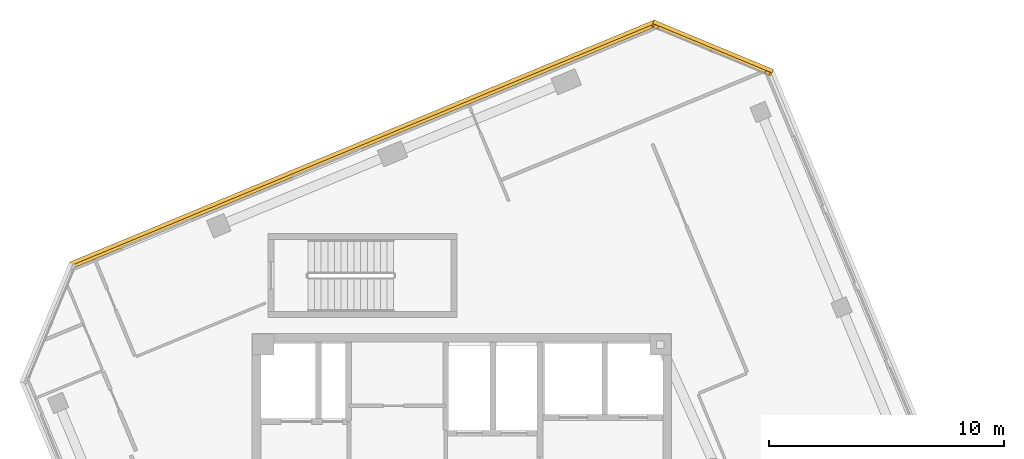
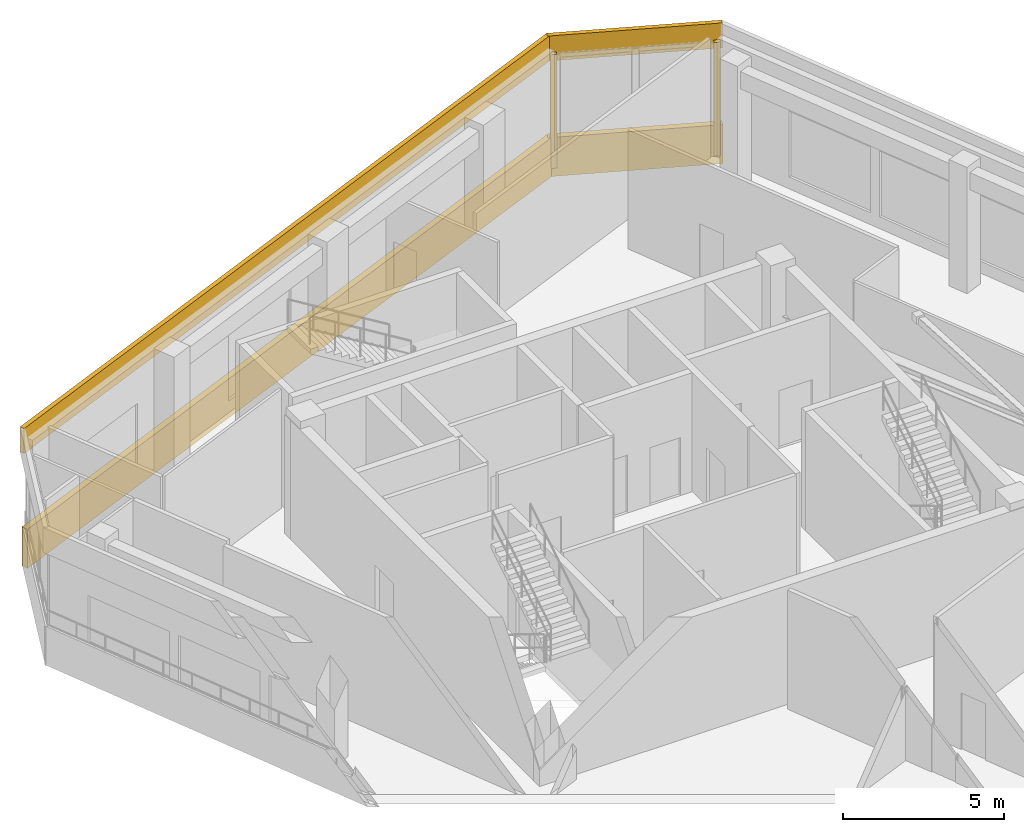
# One storey, part 17 of 17: 6 coverings.
"""IFC4 building model written with IfcOpenShell, lengths in metres."""

import ifcopenshell
import ifcopenshell.guid

model = None  # the IFC model being written
_history = None  # IfcOwnerHistory: only IFC2X3 demands one
_inside = {}  # id of a spatial element -> (the spatial element, [elements in it])
_under = {}  # id of a project, library or spatial element -> (it, [spatial elements below it])
_declared = {}  # id of a project -> (the project, [libraries it declares])
_typed = {}  # id of a type object -> (the type object, [elements of that type])
_made_of = {}  # id of a material, layer set ... -> (it, [elements and type objects made of it])


def new_model(schema):
    """Start an empty IFC model of exactly this schema.

    Asked for "IFC4X3", IfcOpenShell would pick the latest addendum, in which some entities
    have other attributes; the version numbers below select the first issue.
    IFC2X3 requires an IfcOwnerHistory on every rooted entity: one is made here for all.
    """
    global model, _history
    if schema == "IFC4X3":
        model = ifcopenshell.file(schema_version=(4, 3, 0, 0))
    else:
        model = ifcopenshell.file(schema=schema)
    _inside.clear()
    _under.clear()
    _declared.clear()
    _typed.clear()
    _made_of.clear()
    _history = None
    if model.schema == "IFC2X3":
        org = make("IfcOrganization", Name="unknown")
        user = make(
            "IfcPersonAndOrganization",
            ThePerson=make("IfcPerson", FamilyName="unknown"),
            TheOrganization=org,
        )
        app = make(
            "IfcApplication",
            ApplicationDeveloper=org,
            Version="unknown",
            ApplicationFullName="unknown",
            ApplicationIdentifier="unknown",
        )
        _history = make(
            "IfcOwnerHistory",
            OwningUser=user,
            OwningApplication=app,
            ChangeAction="ADDED",
            CreationDate=0,
        )
    return model


def make(cls, **values):
    """One entity of the class cls with the attributes given. An attribute that is None is left unset."""
    return model.create_entity(
        cls, **{name: value for name, value in values.items() if value is not None}
    )


def rooted(cls, **values):
    """An entity with a GlobalId (a new one), such as an element, a storey or a relation."""
    return make(cls, GlobalId=ifcopenshell.guid.new(), OwnerHistory=_history, **values)


def si_unit(unit_type, name, prefix=None):
    """IfcSIUnit, for example si_unit("LENGTHUNIT", "METRE", prefix="MILLI")."""
    return make("IfcSIUnit", UnitType=unit_type, Prefix=prefix, Name=name)


def assignment(units):
    """IfcUnitAssignment: the units of a project."""
    return None if units is None else make("IfcUnitAssignment", Units=units)


def point(xyz):
    """IfcCartesianPoint."""
    return None if xyz is None else make("IfcCartesianPoint", Coordinates=xyz)


def direction(xyz):
    """IfcDirection."""
    return None if xyz is None else make("IfcDirection", DirectionRatios=xyz)


def frame(location, z_axis=None, x_axis=None):
    """IfcAxis2Placement3D, a coordinate frame: its origin and axes. An axis left out is left unset."""
    return make(
        "IfcAxis2Placement3D",
        Location=point(location),
        Axis=direction(z_axis),
        RefDirection=direction(x_axis),
    )


def frame_2d(location, x_axis=None):
    """IfcAxis2Placement2D, a coordinate frame in the plane: its origin and x axis."""
    return make(
        "IfcAxis2Placement2D", Location=point(location), RefDirection=direction(x_axis)
    )


def origin():
    """The frame at (0, 0, 0) with its axes left unset."""
    return frame((0.0, 0.0, 0.0))


def origin_2d():
    """The frame at (0, 0) in the plane with its x axis left unset."""
    return frame_2d((0.0, 0.0))


def place(relative_to, where):
    """IfcLocalPlacement: puts the frame where relative to a parent placement (None: the world)."""
    return make(
        "IfcLocalPlacement", PlacementRelTo=relative_to, RelativePlacement=where
    )


def context(
    kind, dimensions, precision=None, world=None, true_north=None, identifier=None
):
    """IfcGeometricRepresentationContext, for example the 3D "Model" context."""
    return make(
        "IfcGeometricRepresentationContext",
        ContextIdentifier=identifier,
        ContextType=kind,
        CoordinateSpaceDimension=dimensions,
        Precision=precision,
        WorldCoordinateSystem=world,
        TrueNorth=true_north,
    )


def subcontext(parent, identifier, kind, view, scale=None):
    """IfcGeometricRepresentationSubContext, for example "Body" below "Model"."""
    return make(
        "IfcGeometricRepresentationSubContext",
        ContextIdentifier=identifier,
        ContextType=kind,
        ParentContext=parent,
        TargetScale=scale,
        TargetView=view,
    )


def project(units=None, contexts=None):
    """IfcProject with its units and contexts."""
    return rooted(
        "IfcProject",
        Name="project",
        RepresentationContexts=contexts,
        UnitsInContext=assignment(units),
    )


def spatial(cls, under=None, at=None, **own):
    """A site, building, storey or space (cls), placed at a placement, below another one or the project."""
    s = rooted(cls, ObjectPlacement=at, **own)
    if under is not None:
        _under.setdefault(under.id(), (under, []))[1].append(s)
    return s


def profile(cls, at=None, kind="AREA", **sizes):
    """A parametric profile (cls). Its sizes go by their IFC names, for example OverallWidth=200.0."""
    return make(cls, ProfileType=kind, Position=at, **sizes)


def rectangle(**sizes):
    """IfcRectangleProfileDef."""
    return profile("IfcRectangleProfileDef", **sizes)


def extrude(swept, where, along, depth):
    """IfcExtrudedAreaSolid: the profile swept, set in the frame where, extruded along a direction by depth."""
    return make(
        "IfcExtrudedAreaSolid",
        SweptArea=swept,
        Position=where,
        ExtrudedDirection=direction(along),
        Depth=depth,
    )


def shape(context_of_items, identifier, shape_type, items):
    """IfcShapeRepresentation: the items that make up one representation, for example the "Body"."""
    return make(
        "IfcShapeRepresentation",
        ContextOfItems=context_of_items,
        RepresentationIdentifier=identifier,
        RepresentationType=shape_type,
        Items=items,
    )


def source(mapping_origin, context_of_items, identifier, shape_type, items):
    """IfcRepresentationMap: a shape defined once, which mapped items show again and again."""
    return make(
        "IfcRepresentationMap",
        MappingOrigin=mapping_origin,
        MappedRepresentation=shape(context_of_items, identifier, shape_type, items),
    )


def transform(
    local_origin,
    x_axis=None,
    y_axis=None,
    z_axis=None,
    scale=None,
    scale2=None,
    scale3=None,
    uniform=True,
):
    """IfcCartesianTransformationOperator3D, or its non-uniform kind. x_axis, y_axis, z_axis: its Axis1, 2, 3."""
    if uniform:
        return make(
            "IfcCartesianTransformationOperator3D",
            Axis1=direction(x_axis),
            Axis2=direction(y_axis),
            LocalOrigin=point(local_origin),
            Scale=scale,
            Axis3=direction(z_axis),
        )
    return make(
        "IfcCartesianTransformationOperator3DnonUniform",
        Axis1=direction(x_axis),
        Axis2=direction(y_axis),
        LocalOrigin=point(local_origin),
        Scale=scale,
        Axis3=direction(z_axis),
        Scale2=scale2,
        Scale3=scale3,
    )


def mapped(mapping_source, mapping_target):
    """IfcMappedItem: shows the shape of a source again, moved by a transform."""
    return make(
        "IfcMappedItem", MappingSource=mapping_source, MappingTarget=mapping_target
    )


def material(Name=None, Category=None):
    """IfcMaterial."""
    return make("IfcMaterial", Name=Name, Category=Category)


def layer(
    of_material, thickness, ventilated=None, Name=None, Category=None, Priority=None
):
    """IfcMaterialLayer: one layer of a wall or slab, of a material (None: an air gap)."""
    return make(
        "IfcMaterialLayer",
        Material=of_material,
        LayerThickness=thickness,
        IsVentilated=ventilated,
        Name=Name,
        Category=Category,
        Priority=Priority,
    )


def layer_set(layers, Name=None):
    """IfcMaterialLayerSet."""
    return make("IfcMaterialLayerSet", MaterialLayers=layers, LayerSetName=Name)


def made_of(thing, what):
    """Note that an element or type object is made of a material, layer set ...; save() writes the relation."""
    if what is not None:
        _made_of.setdefault(what.id(), (what, []))[1].append(thing)
    return thing


def type_object(cls, material=None, **own):
    """A type object (cls), such as IfcWallType, which elements share."""
    return made_of(rooted(cls, **own), material)


def element(
    cls,
    number,
    at=None,
    inside=None,
    cuts=None,
    type_object=None,
    material=None,
    context=None,
    identifier="Body",
    shape_type=None,
    held_by="IfcProductDefinitionShape",
    body=None,
    shapes=None,
    **own,
):
    """One element of the class cls, such as IfcWall. Its Tag is "e" and its number.

    at: its placement. inside: the storey or other place that contains it. cuts: it is an
    opening in that element (IfcRelVoidsElement). A single representation is given by context,
    identifier, shape_type and body (its items); several are given by shapes. held_by: the class
    of the entity that holds the representations. save() writes the other relations.
    """
    e = rooted(cls, Tag="e%d" % number, ObjectPlacement=at, **own)
    if body is not None:
        shapes = [shape(context, identifier, shape_type, body)]
    if shapes is not None:
        e.Representation = make(held_by, Representations=shapes)
    if inside is not None:
        _inside.setdefault(inside.id(), (inside, []))[1].append(e)
    if cuts is not None:
        rooted(
            "IfcRelVoidsElement", RelatingBuildingElement=cuts, RelatedOpeningElement=e
        )
    if type_object is not None:
        _typed.setdefault(type_object.id(), (type_object, []))[1].append(e)
    return made_of(e, material)


def aggregate(whole, parts):
    """IfcRelAggregates: a whole, such as a stair, and the parts it consists of."""
    return rooted("IfcRelAggregates", RelatingObject=whole, RelatedObjects=parts)


def save(model, path):
    """Write the relations noted so far, then the file.

    IfcRelAggregates (storeys below a building ...), IfcRelContainedInSpatialStructure (elements
    in a storey), IfcRelDefinesByType, IfcRelAssociatesMaterial and IfcRelDeclares: one each for
    every whole, place, type object, material and project.
    """
    for whole, parts in _under.values():
        aggregate(whole, parts)
    for where, things in _inside.values():
        rooted(
            "IfcRelContainedInSpatialStructure",
            RelatedElements=things,
            RelatingStructure=where,
        )
    for kind, things in _typed.values():
        rooted("IfcRelDefinesByType", RelatedObjects=things, RelatingType=kind)
    for what, things in _made_of.values():
        rooted("IfcRelAssociatesMaterial", RelatedObjects=things, RelatingMaterial=what)
    for by, libraries in _declared.values():
        rooted("IfcRelDeclares", RelatingContext=by, RelatedDefinitions=libraries)
    model.write(path)


model = new_model("IFC4")

# Units and contexts
model_context = context("Model", 3, precision=1e-05, world=origin(), true_north=direction((0.0, 1.0)))
body_context = subcontext(model_context, "Body", "Model", "MODEL_VIEW")
ifc_project = project(units=[si_unit("LENGTHUNIT", "METRE"), si_unit("AREAUNIT", "SQUARE_METRE"), si_unit("VOLUMEUNIT", "CUBIC_METRE"), si_unit("PLANEANGLEUNIT", "RADIAN"), si_unit("MASSUNIT", "GRAM", prefix="KILO")], contexts=[model_context])

# Site, building, storey
site_placement = place(None, origin())
site = spatial("IfcSite", under=ifc_project, at=site_placement, CompositionType="ELEMENT")
building_placement = place(site_placement, origin())
building = spatial("IfcBuilding", under=site, at=building_placement, Name="Torre Montelarca", CompositionType="ELEMENT")
storey_placement = place(building_placement, frame((0.0, 0.0, 355.199951171875)))
storey = spatial("IfcBuildingStorey", under=building, at=storey_placement, Name="L80", CompositionType="ELEMENT", Elevation=355.199951171875)

# Coverings
ifc_material = material(Name="Bush-hammered warm white precast concrete C45/55", Category="concrete")
ifc_layer = layer(ifc_material, 0.139892578125, Name="Bush-hammered warm white precast concrete C45/55", Category="concrete")
ifc_layer_set = layer_set([ifc_layer], Name="Bush-hammered warm white precast concrete C45/55")
covering_type = type_object("IfcCoveringType", Name="COV-TRAY-CLAD", PredefinedType="CLADDING", material=ifc_layer_set)
shared_shape_1 = source(origin(), body_context, "Body", "SweptSolid", [
    extrude(rectangle(XDim=0.199951171875, YDim=0.139892578125, at=origin_2d()), origin(), (0.0, 0.0, 1.0), 4.320068359375),
])
for number, where, z_axis, x_axis, name in (
    (1, (31.006103515625, 51.002685546875, 0.0), (0.0, 0.0, 1.0), (-0.923880868323, 0.382680207415, 0.0), "L80 Architectural Column Pier Cladding E09-1"),
    (2, (26.255126953125, 52.970458984375, 0.0), (0.0, 0.0, 1.0), (-0.923880868323, 0.382680207415, 0.0), "L80 Architectural Column Pier Cladding E09-2"),
):
    element("IfcCovering", number, at=place(storey_placement, frame(where, z_axis=z_axis, x_axis=x_axis)), inside=storey, type_object=covering_type, Name=name, PredefinedType="CLADDING", context=body_context, shape_type="MappedRepresentation", body=[
        mapped(shared_shape_1, transform((0.0, 0.0, 0.0), scale=1.0)),
    ])
shared_shape_2 = source(origin(), body_context, "Body", "SweptSolid", [
    extrude(rectangle(XDim=5.493896484375, YDim=0.219970703125, at=origin_2d()), origin(), (0.0, 0.0, 1.0), 1.47998046875),
])
covering_1_placement = place(storey_placement, frame((28.653564453125, 52.0419921875, -0.31982421875), z_axis=(0.0, 0.0, 1.0), x_axis=(-0.923881536224, 0.382678594938, 0.0)))
element("IfcCovering", 3, at=covering_1_placement, inside=storey, type_object=covering_type, Name="L80 Architectural White Spandrel Tray Band DMPRNG-09", PredefinedType="CLADDING", context=body_context, shape_type="MappedRepresentation", body=[
    mapped(shared_shape_2, transform((0.0, 0.0, 0.0), scale=1.0)),
])
shared_shape_3 = source(origin(), body_context, "Body", "SweptSolid", [
    extrude(rectangle(XDim=26.919921875, YDim=0.219970703125, at=origin_2d()), origin(), (0.0, 0.0, 1.0), 1.47998046875),
])
covering_2_placement = place(storey_placement, frame((13.814208984375, 47.942138671875, -0.31982421875), z_axis=(0.0, 0.0, 1.0), x_axis=(-0.923880200418, -0.382681819891, 0.0)))
element("IfcCovering", 4, at=covering_2_placement, inside=storey, type_object=covering_type, Name="L80 Architectural White Spandrel Tray Band DMPRNG-10", PredefinedType="CLADDING", context=body_context, shape_type="MappedRepresentation", body=[
    mapped(shared_shape_3, transform((0.0, 0.0, 0.0), scale=1.0)),
])
shared_shape_4 = source(origin(), body_context, "Body", "SweptSolid", [
    extrude(rectangle(XDim=5.493896484375, YDim=0.159912109375, at=origin_2d()), origin(), (0.0, 0.0, 1.0), 0.949951171875),
])
covering_3_placement = place(storey_placement, frame((28.69189453125, 52.13427734375, 3.98486328125), z_axis=(0.0, 0.0, 1.0), x_axis=(-0.923881536224, 0.382678594938, 0.0)))
element("IfcCovering", 5, at=covering_3_placement, inside=storey, type_object=covering_type, Name="L80 Architectural White Spandrel Tray Band DMPTOP-09", PredefinedType="CLADDING", context=body_context, shape_type="MappedRepresentation", body=[
    mapped(shared_shape_4, transform((0.0, 0.0, 0.0), scale=1.0)),
])
shared_shape_5 = source(origin(), body_context, "Body", "SweptSolid", [
    extrude(rectangle(XDim=26.919921875, YDim=0.159912109375, at=origin_2d()), origin(), (0.0, 0.0, 1.0), 0.949951171875),
])
covering_4_placement = place(storey_placement, frame((13.77587890625, 48.03466796875, 3.98486328125), z_axis=(0.0, 0.0, 1.0), x_axis=(-0.923880200418, -0.382681819891, 0.0)))
element("IfcCovering", 6, at=covering_4_placement, inside=storey, type_object=covering_type, Name="L80 Architectural White Spandrel Tray Band DMPTOP-10", PredefinedType="CLADDING", context=body_context, shape_type="MappedRepresentation", body=[
    mapped(shared_shape_5, transform((0.0, 0.0, 0.0), scale=1.0)),
])

save(model, "model.ifc")
